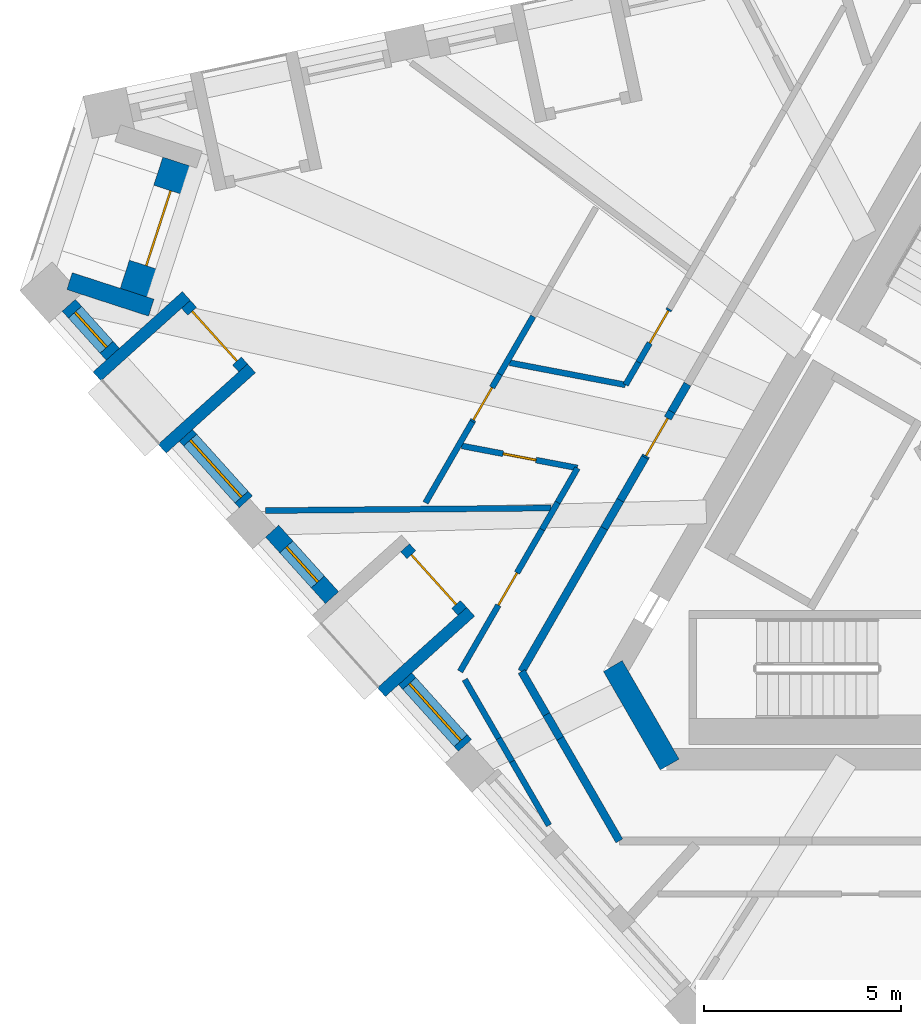
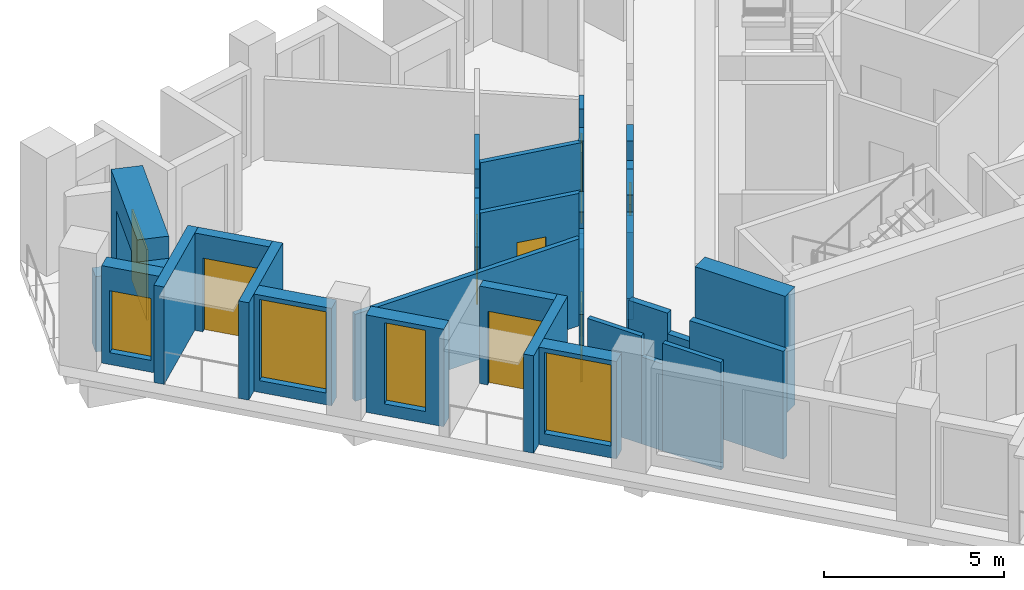
# One storey, part 3 of 13: 34 walls, 8 doors, 4 windows, 12 openings.
"""IFC4 building model written with IfcOpenShell, lengths in metres."""

from ifc_helpers import new_model, si_unit, direction, frame, frame_2d, origin, place, context, subcontext, project, spatial, polyline, rectangle, outline, extrude, material, layer, layer_set, type_object, element, fill, save


model = new_model("IFC4")

# Units and contexts
model_context = context("Model", 3, precision=1e-05, world=origin(), true_north=direction((0.0, 1.0)))
body_context = subcontext(model_context, "Body", "Model", "MODEL_VIEW")
ifc_project = project(units=[si_unit("LENGTHUNIT", "METRE"), si_unit("AREAUNIT", "SQUARE_METRE"), si_unit("VOLUMEUNIT", "CUBIC_METRE"), si_unit("PLANEANGLEUNIT", "RADIAN"), si_unit("MASSUNIT", "GRAM", prefix="KILO")], contexts=[model_context])

# Site, building, storey
site_placement = place(None, origin())
site = spatial("IfcSite", under=ifc_project, at=site_placement, CompositionType="ELEMENT")
building_placement = place(site_placement, origin())
building = spatial("IfcBuilding", under=site, at=building_placement, Name="Tramontana Tower", CompositionType="ELEMENT")
storey_placement = place(building_placement, frame((0.0, 0.0, 328.39990234375)))
storey = spatial("IfcBuildingStorey", under=building, at=storey_placement, Name="L75", CompositionType="ELEMENT", Elevation=328.39990234375)

# Walls
ifc_material_1 = material(Name="Concrete 70 MPa", Category="concrete")
ifc_layer_1 = layer(ifc_material_1, 0.550048828125)
ifc_layer_set_1 = layer_set([ifc_layer_1], Name="Core wall 550 70 MPa")
wall_type_1 = type_object("IfcWallType", Name="Core wall 550 70 MPa", PredefinedType="SHEAR", material=ifc_layer_set_1)
wall_1_placement = place(storey_placement, frame((-10.009765625, -4.112548828125, 0.0), z_axis=(0.0, 0.0, 1.0), x_axis=(0.499995765644, -0.866027848477, 0.0)))
element("IfcWall", 1, at=wall_1_placement, inside=storey, type_object=wall_type_1, Name="Core wall C2 L75", PredefinedType="SHEAR", context=body_context, shape_type="SweptSolid", body=[
    extrude(rectangle(XDim=2.88671875, YDim=0.550048828125, at=frame_2d((1.443359375, 0.0))), origin(), (0.0, 0.0, 1.0), 4.0),
])
ifc_material_2 = material(Name="Blockwork", Category="masonry")
ifc_layer_2 = layer(ifc_material_2, 0.199951171875)
ifc_layer_set_2 = layer_set([ifc_layer_2], Name="ENTRY WALL 200")
wall_type_2 = type_object("IfcWallType", Name="ENTRY WALL 200", PredefinedType="SOLIDWALL", material=ifc_layer_set_2)
wall_2_placement = place(storey_placement, frame((-9.84375, -8.550048828125, 0.0), z_axis=(0.0, 0.0, 1.0), x_axis=(-0.500003959331, 0.866023117852, 0.0)))
element("IfcWall", 2, at=wall_2_placement, inside=storey, type_object=wall_type_2, Name="Wall v80-ew2-0", PredefinedType="SOLIDWALL", context=body_context, shape_type="SweptSolid", body=[
    extrude(rectangle(XDim=3.0029296875, YDim=0.199951171875, at=frame_2d((1.50146484375, 0.0))), origin(), (0.0, 0.0, 1.0), 3.650146484375),
])
wall_3_placement = place(storey_placement, frame((-11.34521484375, -5.949462890625, 0.0), z_axis=(0.0, 0.0, 1.0), x_axis=(-0.499993523031, 0.866029143232, 0.0)))
element("IfcWall", 3, at=wall_3_placement, inside=storey, type_object=wall_type_2, Name="Wall v80-ew2-1", PredefinedType="SOLIDWALL", context=body_context, shape_type="SweptSolid", body=[
    extrude(rectangle(XDim=0.70166015625, YDim=0.199951171875, at=frame_2d((0.350830078125, 0.0))), origin(), (0.0, 0.0, 1.0), 2.9501953125),
])
wall_4_placement = place(storey_placement, frame((-11.696044921875, -5.341796875, 0.0), z_axis=(0.0, 0.0, 1.0), x_axis=(-0.500013012896, 0.866017890655, 0.0)))
element("IfcWall", 4, at=wall_4_placement, inside=storey, type_object=wall_type_2, Name="Wall v80-ew2-2", PredefinedType="SOLIDWALL", context=body_context, shape_type="SweptSolid", body=[
    extrude(rectangle(XDim=1.2607421875, YDim=0.199951171875, at=frame_2d((0.63037109375, 0.0))), origin(), (0.0, 0.0, 1.0), 3.650146484375),
])
wall_5_placement = place(storey_placement, frame((-12.326416015625, -4.25, 0.0), z_axis=(0.0, 0.0, 1.0), x_axis=(0.499982771656, 0.866035350345, 0.0)))
element("IfcWall", 5, at=wall_5_placement, inside=storey, type_object=wall_type_2, Name="Wall v80-ew3-0", PredefinedType="SOLIDWALL", context=body_context, shape_type="SweptSolid", body=[
    extrude(rectangle(XDim=4.194580078125, YDim=0.199951171875, at=frame_2d((2.09716796875, 0.0))), origin(), (0.0, 0.0, 1.0), 3.650146484375),
])
wall_6_placement = place(storey_placement, frame((-10.229248046875, -0.617431640625, 0.0), z_axis=(0.0, 0.0, 1.0), x_axis=(0.5001686003, 0.865928040471, 0.0)))
element("IfcWall", 6, at=wall_6_placement, inside=storey, type_object=wall_type_2, Name="Wall v80-ew3-1", PredefinedType="SOLIDWALL", context=body_context, shape_type="SweptSolid", body=[
    extrude(rectangle(XDim=0.821044921875, YDim=0.199951171875, at=frame_2d((0.41064453125, 0.0))), origin(), (0.0, 0.0, 1.0), 2.9501953125),
])
wall_7_placement = place(storey_placement, frame((-9.818603515625, 0.093505859375, 0.0), z_axis=(0.0, 0.0, 1.0), x_axis=(0.499969537666, 0.866042990507, 0.0)))
element("IfcWall", 7, at=wall_7_placement, inside=storey, type_object=wall_type_2, Name="Wall v80-ew3-2", PredefinedType="SOLIDWALL", context=body_context, shape_type="SweptSolid", body=[
    extrude(rectangle(XDim=1.25439453125, YDim=0.199951171875, at=frame_2d((0.627197265625, 0.0))), origin(), (0.0, 0.0, 1.0), 3.650146484375),
])

# Wall, opening, door
wall_8_placement = place(storey_placement, frame((-9.19140625, 1.179931640625, 0.0), z_axis=(0.0, 0.0, 1.0), x_axis=(0.500005339912, 0.866022320763, 0.0)))
wall_8 = element("IfcWall", 8, at=wall_8_placement, inside=storey, type_object=wall_type_2, Name="Wall v80-ew3-3", PredefinedType="SOLIDWALL", context=body_context, shape_type="SweptSolid", body=[
    extrude(outline(polyline([(0.0, 0.0), (1.3447265625, 0.0), (1.3447265625, 2.550048828125), (0.40087890625, 2.550048828125), (0.40087890625, 3.650146484375), (0.0, 3.650146484375), (0.0, 0.0)])), frame((0.0, 0.10009765625, 0.0), z_axis=(0.0, -1.0, 0.0), x_axis=(1.0, 0.0, 0.0)), (0.0, 0.0, 1.0), 0.199951171875),
])
opening_1_placement = place(wall_8_placement, frame((0.050048828125, 0.0, 0.0)))
opening_1 = element("IfcOpeningElement", 9, at=opening_1_placement, cuts=wall_8, Name="Opening B8A-19", PredefinedType="OPENING", context=body_context, shape_type="SweptSolid", body=[
    extrude(rectangle(XDim=1.10009765625, YDim=2.39990234375, at=frame_2d((0.550048828125, 1.199951171875))), frame((0.0, 0.10986328125, 0.0), z_axis=(0.0, -1.0, 0.0), x_axis=(1.0, 0.0, 0.0)), (0.0, 0.0, 1.0), 0.219970703125),
])
ifc_material_3 = material(Name="Painted timber", Category="wood")
door_type_1 = type_object("IfcDoorType", Name="DOOR ENTRY 1100", OperationType="SINGLE_SWING_LEFT", PredefinedType="DOOR", material=ifc_material_3)
door_1_placement = place(opening_1_placement, origin())
door_1 = element("IfcDoor", 10, at=door_1_placement, inside=storey, type_object=door_type_1, Name="Door B8A-19", OperationType="SINGLE_SWING_LEFT", OverallHeight=2.39990234375, OverallWidth=1.10009765625, PredefinedType="DOOR", context=body_context, shape_type="SweptSolid", body=[
    extrude(rectangle(XDim=1.10009765625, YDim=2.39990234375, at=frame_2d((0.550048828125, 1.199951171875))), frame((0.0, 0.02490234375, 0.0), z_axis=(0.0, -1.0, 0.0), x_axis=(1.0, 0.0, 0.0)), (0.0, 0.0, 1.0), 0.050048828125),
])
fill(opening_1, door_1)

# Wall
wall_9_placement = place(storey_placement, frame((-8.51904296875, 2.344482421875, 0.0), z_axis=(0.0, 0.0, 1.0), x_axis=(0.499914554297, 0.866074730264, 0.0)))
element("IfcWall", 11, at=wall_9_placement, inside=storey, type_object=wall_type_2, Name="Wall v80-ew3-4", PredefinedType="SOLIDWALL", context=body_context, shape_type="SweptSolid", body=[
    extrude(rectangle(XDim=0.806884765625, YDim=0.199951171875, at=frame_2d((0.4033203125, 0.0))), origin(), (0.0, 0.0, 1.0), 3.650146484375),
])

# Wall, opening, window
ifc_material_4 = material(Name="Precast concrete 60 MPa", Category="concrete")
ifc_layer_3 = layer(ifc_material_4, 0.449951171875)
ifc_layer_set_3 = layer_set([ifc_layer_3], Name="Precast concrete 60 MPa, 450 mm")
wall_type_3 = type_object("IfcWallType", Name="EW1 Stone-faced precast wall 450", PredefinedType="SOLIDWALL", material=ifc_layer_set_3)
wall_10_placement = place(storey_placement, frame((-23.817138671875, 5.043212890625, 0.0), z_axis=(0.0, 0.0, 1.0), x_axis=(0.669182609054, -0.743097998746, 0.0)))
wall_10 = element("IfcWall", 12, at=wall_10_placement, inside=storey, type_object=wall_type_3, Name="External wall L75 face 0 bay 1", PredefinedType="SOLIDWALL", context=body_context, shape_type="SweptSolid", body=[
    extrude(rectangle(XDim=1.67138671875, YDim=0.449951171875, at=frame_2d((0.835693359375, 0.0))), origin(), (0.0, 0.0, 1.0), 3.300048828125),
])
opening_2_placement = place(wall_10_placement, frame((0.235595703125, 0.0, 0.39990234375)))
opening_2 = element("IfcOpeningElement", 13, at=opening_2_placement, cuts=wall_10, Name="Opening N3L", PredefinedType="OPENING", context=body_context, shape_type="SweptSolid", body=[
    extrude(rectangle(XDim=1.199951171875, YDim=2.10009765625, at=frame_2d((0.60009765625, 1.050048828125))), frame((0.0, 0.23486328125, 0.0), z_axis=(0.0, -1.0, 0.0), x_axis=(1.0, 0.0, 0.0)), (0.0, 0.0, 1.0), 0.469970703125),
])
ifc_material_5 = material(Name="Aluminum frame, double glazing unit", Category="aluminium")
window_type_1 = type_object("IfcWindowType", Name="N3L Window 1.2 x 2.1", PartitioningType="SINGLE_PANEL", PredefinedType="WINDOW", material=ifc_material_5)
window_1_placement = place(opening_2_placement, origin())
window_1 = element("IfcWindow", 14, at=window_1_placement, inside=storey, type_object=window_type_1, Name="Window N3L L75 face 0 module 1", OverallHeight=2.10009765625, OverallWidth=1.199951171875, PartitioningType="SINGLE_PANEL", PredefinedType="WINDOW", context=body_context, shape_type="SweptSolid", body=[
    extrude(rectangle(XDim=1.199951171875, YDim=2.10009765625, at=frame_2d((0.60009765625, 1.050048828125))), frame((0.0, 0.030029296875, 0.0), z_axis=(0.0, -1.0, 0.0), x_axis=(1.0, 0.0, 0.0)), (0.0, 0.0, 1.0), 0.06005859375),
])
fill(opening_2, window_1)

wall_11_placement = place(storey_placement, frame((-20.844482421875, 1.74169921875, 0.0), z_axis=(0.0, 0.0, 1.0), x_axis=(0.669160694992, -0.743117732447, 0.0)))
wall_11 = element("IfcWall", 15, at=wall_11_placement, inside=storey, type_object=wall_type_3, Name="External wall L75 face 0 bay 1", PredefinedType="SOLIDWALL", context=body_context, shape_type="SweptSolid", body=[
    extrude(rectangle(XDim=2.271240234375, YDim=0.449951171875, at=frame_2d((1.1357421875, 0.0))), origin(), (0.0, 0.0, 1.0), 3.300048828125),
])
opening_3_placement = place(wall_11_placement, frame((0.16064453125, 0.0, 0.39990234375)))
opening_3 = element("IfcOpeningElement", 16, at=opening_3_placement, cuts=wall_11, Name="Opening M3", PredefinedType="OPENING", context=body_context, shape_type="SweptSolid", body=[
    extrude(rectangle(XDim=1.949951171875, YDim=2.75, at=frame_2d((0.97509765625, 1.375))), frame((0.0, 0.23486328125, 0.0), z_axis=(0.0, -1.0, 0.0), x_axis=(1.0, 0.0, 0.0)), (0.0, 0.0, 1.0), 0.469970703125),
])
ifc_material_6 = material(Name="Aluminum frame, double glazing unit", Category="aluminium")
window_type_2 = type_object("IfcWindowType", Name="M3 Window 1.95 x 2.75", PartitioningType="SINGLE_PANEL", PredefinedType="WINDOW", material=ifc_material_6)
window_2_placement = place(opening_3_placement, origin())
window_2 = element("IfcWindow", 17, at=window_2_placement, inside=storey, type_object=window_type_2, Name="Window M3 L75 face 0 module 3", OverallHeight=2.75, OverallWidth=1.949951171875, PartitioningType="SINGLE_PANEL", PredefinedType="WINDOW", context=body_context, shape_type="SweptSolid", body=[
    extrude(rectangle(XDim=1.949951171875, YDim=2.75, at=frame_2d((0.97509765625, 1.375))), frame((0.0, 0.030029296875, 0.0), z_axis=(0.0, -1.0, 0.0), x_axis=(1.0, 0.0, 0.0)), (0.0, 0.0, 1.0), 0.06005859375),
])
fill(opening_3, window_2)

wall_12_placement = place(storey_placement, frame((-18.655517578125, -0.689208984375, 0.0), z_axis=(0.0, 0.0, 1.0), x_axis=(0.669107243666, -0.743165860676, 0.0)))
wall_12 = element("IfcWall", 18, at=wall_12_placement, inside=storey, type_object=wall_type_3, Name="External wall L75 face 0 bay 2", PredefinedType="SOLIDWALL", context=body_context, shape_type="SweptSolid", body=[
    extrude(rectangle(XDim=2.271240234375, YDim=0.449951171875, at=frame_2d((1.1357421875, 0.0))), origin(), (0.0, 0.0, 1.0), 3.300048828125),
])
opening_4_placement = place(wall_12_placement, frame((0.53564453125, 0.0, 0.39990234375)))
opening_4 = element("IfcOpeningElement", 19, at=opening_4_placement, cuts=wall_12, Name="Opening N3", PredefinedType="OPENING", context=body_context, shape_type="SweptSolid", body=[
    extrude(rectangle(XDim=1.199951171875, YDim=2.75, at=frame_2d((0.60009765625, 1.375))), frame((0.0, 0.23486328125, 0.0), z_axis=(0.0, -1.0, 0.0), x_axis=(1.0, 0.0, 0.0)), (0.0, 0.0, 1.0), 0.469970703125),
])
ifc_material_7 = material(Name="Aluminum frame, double glazing unit", Category="aluminium")
window_type_3 = type_object("IfcWindowType", Name="N3 Window 1.2 x 2.75", PartitioningType="SINGLE_PANEL", PredefinedType="WINDOW", material=ifc_material_7)
window_3_placement = place(opening_4_placement, origin())
window_3 = element("IfcWindow", 20, at=window_3_placement, inside=storey, type_object=window_type_3, Name="Window N3 L75 face 0 module 4", OverallHeight=2.75, OverallWidth=1.199951171875, PartitioningType="SINGLE_PANEL", PredefinedType="WINDOW", context=body_context, shape_type="SweptSolid", body=[
    extrude(rectangle(XDim=1.199951171875, YDim=2.75, at=frame_2d((0.60009765625, 1.375))), frame((0.0, 0.030029296875, 0.0), z_axis=(0.0, -1.0, 0.0), x_axis=(1.0, 0.0, 0.0)), (0.0, 0.0, 1.0), 0.06005859375),
])
fill(opening_4, window_3)

wall_13_placement = place(storey_placement, frame((-15.281494140625, -4.4365234375, 0.0), z_axis=(0.0, 0.0, 1.0), x_axis=(0.669107243666, -0.743165860676, 0.0)))
wall_13 = element("IfcWall", 21, at=wall_13_placement, inside=storey, type_object=wall_type_3, Name="External wall L75 face 0 bay 2", PredefinedType="SOLIDWALL", context=body_context, shape_type="SweptSolid", body=[
    extrude(rectangle(XDim=2.271240234375, YDim=0.449951171875, at=frame_2d((1.1357421875, 0.0))), origin(), (0.0, 0.0, 1.0), 3.300048828125),
])
opening_5_placement = place(wall_13_placement, frame((0.16064453125, 0.0, 0.39990234375)))
opening_5 = element("IfcOpeningElement", 22, at=opening_5_placement, cuts=wall_13, Name="Opening M3", PredefinedType="OPENING", context=body_context, shape_type="SweptSolid", body=[
    extrude(rectangle(XDim=1.949951171875, YDim=2.75, at=frame_2d((0.97509765625, 1.375))), frame((0.0, 0.23486328125, 0.0), z_axis=(0.0, -1.0, 0.0), x_axis=(1.0, 0.0, 0.0)), (0.0, 0.0, 1.0), 0.469970703125),
])
window_4_placement = place(opening_5_placement, origin())
window_4 = element("IfcWindow", 23, at=window_4_placement, inside=storey, type_object=window_type_2, Name="Window M3 L75 face 0 module 6", OverallHeight=2.75, OverallWidth=1.949951171875, PartitioningType="SINGLE_PANEL", PredefinedType="WINDOW", context=body_context, shape_type="SweptSolid", body=[
    extrude(rectangle(XDim=1.949951171875, YDim=2.75, at=frame_2d((0.97509765625, 1.375))), frame((0.0, 0.030029296875, 0.0), z_axis=(0.0, -1.0, 0.0), x_axis=(1.0, 0.0, 0.0)), (0.0, 0.0, 1.0), 0.06005859375),
])
fill(opening_5, window_4)

# Wall
wall_14_placement = place(storey_placement, frame((-23.79638671875, 5.6552734375, 0.0), z_axis=(0.0, 0.0, 1.0), x_axis=(0.951064526973, -0.308992338955, 0.0)))
element("IfcWall", 24, at=wall_14_placement, inside=storey, type_object=wall_type_3, Name="Corner loggia side wall L75 K80l", PredefinedType="SOLIDWALL", context=body_context, shape_type="SweptSolid", body=[
    extrude(rectangle(XDim=2.17919921875, YDim=0.449951171875, at=frame_2d((1.089599609375, 0.0))), origin(), (0.0, 0.0, 1.0), 2.550048828125),
])

# Wall, opening, door
ifc_material_8 = material(Name="Precast concrete 60 MPa", Category="concrete")
ifc_layer_4 = layer(ifc_material_8, 0.89990234375)
ifc_layer_set_4 = layer_set([ifc_layer_4], Name="EW2 Stone-faced corner loggia wall 900")
wall_type_4 = type_object("IfcWallType", Name="EW2 Stone-faced corner loggia wall 900", PredefinedType="SOLIDWALL", material=ifc_layer_set_4)
wall_15_placement = place(storey_placement, frame((-22.082275390625, 5.3349609375, 0.0), z_axis=(0.0, 0.0, 1.0), x_axis=(0.309019824916, 0.951055596592, 0.0)))
wall_15 = element("IfcWall", 25, at=wall_15_placement, inside=storey, type_object=wall_type_4, Name="Corner loggia wall L75 K80", PredefinedType="SOLIDWALL", context=body_context, shape_type="SweptSolid", body=[
    extrude(rectangle(XDim=3.5, YDim=0.89990234375, at=frame_2d((1.75, 0.0))), origin(), (0.0, 0.0, 1.0), 3.300048828125),
])
opening_6_placement = place(wall_15_placement, frame((0.75, 0.0, 0.0)))
opening_6 = element("IfcOpeningElement", 26, at=opening_6_placement, cuts=wall_15, Name="Opening BD-80C", PredefinedType="OPENING", context=body_context, shape_type="SweptSolid", body=[
    extrude(rectangle(XDim=2.0, YDim=2.39990234375, at=frame_2d((1.0, 1.199951171875))), frame((0.0, 0.4599609375, 0.0), z_axis=(0.0, -1.0, 0.0), x_axis=(1.0, 0.0, 0.0)), (0.0, 0.0, 1.0), 0.919921875),
])
ifc_material_9 = material(Name="Aluminum frame, double glazing unit", Category="aluminium")
door_type_2 = type_object("IfcDoorType", Name="BC1 Sliding door 2 x 2.4", OperationType="SLIDING_TO_LEFT", PredefinedType="DOOR", material=ifc_material_9)
door_2_placement = place(opening_6_placement, origin())
door_2 = element("IfcDoor", 27, at=door_2_placement, inside=storey, type_object=door_type_2, Name="Corner loggia door L75 K80", OperationType="SLIDING_TO_LEFT", OverallHeight=2.39990234375, OverallWidth=2.0, PredefinedType="DOOR", context=body_context, shape_type="SweptSolid", body=[
    extrude(rectangle(XDim=2.0, YDim=2.39990234375, at=frame_2d((1.0, 1.199951171875))), frame((0.0, 0.02490234375, 0.0), z_axis=(0.0, -1.0, 0.0), x_axis=(1.0, 0.0, 0.0)), (0.0, 0.0, 1.0), 0.050048828125),
])
fill(opening_6, door_2)

ifc_material_10 = material(Name="Precast concrete 60 MPa", Category="concrete")
ifc_layer_5 = layer(ifc_material_10, 0.300048828125)
ifc_layer_set_5 = layer_set([ifc_layer_5], Name="LW1 Stone-faced loggia wall 300")
wall_type_5 = type_object("IfcWallType", Name="LW1 Stone-faced loggia wall 300", PredefinedType="SOLIDWALL", material=ifc_layer_set_5)
wall_16_placement = place(storey_placement, frame((-20.844482421875, 5.067138671875, 0.0), z_axis=(0.0, 0.0, 1.0), x_axis=(0.669144868344, -0.743131983681, 0.0)))
wall_16 = element("IfcWall", 28, at=wall_16_placement, inside=storey, type_object=wall_type_5, Name="Loggia wall L75 G8S0.1", PredefinedType="SOLIDWALL", context=body_context, shape_type="SweptSolid", body=[
    extrude(rectangle(XDim=2.171142578125, YDim=0.300048828125, at=frame_2d((1.08544921875, 0.0))), origin(), (0.0, 0.0, 1.0), 3.300048828125),
])
opening_7_placement = place(wall_16_placement, frame((0.235595703125, 0.0, 0.0)))
opening_7 = element("IfcOpeningElement", 29, at=opening_7_placement, cuts=wall_16, Name="Opening BD-8S0-01", PredefinedType="OPENING", context=body_context, shape_type="SweptSolid", body=[
    extrude(rectangle(XDim=1.699951171875, YDim=2.5, at=frame_2d((0.85009765625, 1.25))), frame((0.0, 0.159912109375, 0.0), z_axis=(0.0, -1.0, 0.0), x_axis=(1.0, 0.0, 0.0)), (0.0, 0.0, 1.0), 0.320068359375),
])
ifc_material_11 = material(Name="Aluminum frame, double glazing unit", Category="aluminium")
door_type_3 = type_object("IfcDoorType", Name="BD3 Sliding door 1.7 x 2.5", OperationType="SLIDING_TO_LEFT", PredefinedType="DOOR", material=ifc_material_11)
door_3_placement = place(opening_7_placement, origin())
door_3 = element("IfcDoor", 30, at=door_3_placement, inside=storey, type_object=door_type_3, Name="Loggia door L75 G8S0.1", OperationType="SLIDING_TO_LEFT", OverallHeight=2.5, OverallWidth=1.699951171875, PredefinedType="DOOR", context=body_context, shape_type="SweptSolid", body=[
    extrude(rectangle(XDim=1.699951171875, YDim=2.5, at=frame_2d((0.85009765625, 1.25))), frame((0.0, 0.02490234375, 0.0), z_axis=(0.0, -1.0, 0.0), x_axis=(1.0, 0.0, 0.0)), (0.0, 0.0, 1.0), 0.050048828125),
])
fill(opening_7, door_3)

# Walls
for number, where, z_axis, x_axis, name in (
    (31, (-23.10009765625, 3.238037109375, 0.0), (0.0, 0.0, 1.0), (0.743158802514, 0.669115082961, 0.0), "Loggia return L75 G8S0.1a"),
    (32, (-21.446533203125, 1.401611328125, 0.0), (0.0, 0.0, 1.0), (0.743158802514, 0.669115082961, 0.0), "Loggia return L75 G8S0.1b"),
):
    element("IfcWall", number, at=place(storey_placement, frame(where, z_axis=z_axis, x_axis=x_axis)), inside=storey, type_object=wall_type_5, Name=name, PredefinedType="SOLIDWALL", context=body_context, shape_type="SweptSolid", body=[
        extrude(rectangle(XDim=3.050048828125, YDim=0.300048828125, at=frame_2d((1.52490234375, 0.0))), origin(), (0.0, 0.0, 1.0), 3.300048828125),
    ])

# Wall, opening, door
wall_17_placement = place(storey_placement, frame((-15.281494140625, -1.111328125, 0.0), z_axis=(0.0, 0.0, 1.0), x_axis=(0.669144868344, -0.743131983681, 0.0)))
wall_17 = element("IfcWall", 33, at=wall_17_placement, inside=storey, type_object=wall_type_5, Name="Loggia wall L75 G8S0.4", PredefinedType="SOLIDWALL", context=body_context, shape_type="SweptSolid", body=[
    extrude(rectangle(XDim=2.171142578125, YDim=0.300048828125, at=frame_2d((1.08544921875, 0.0))), origin(), (0.0, 0.0, 1.0), 3.300048828125),
])
opening_8_placement = place(wall_17_placement, frame((0.235595703125, 0.0, 0.0)))
opening_8 = element("IfcOpeningElement", 34, at=opening_8_placement, cuts=wall_17, Name="Opening BD-8S0-04", PredefinedType="OPENING", context=body_context, shape_type="SweptSolid", body=[
    extrude(rectangle(XDim=1.699951171875, YDim=2.5, at=frame_2d((0.85009765625, 1.25))), frame((0.0, 0.159912109375, 0.0), z_axis=(0.0, -1.0, 0.0), x_axis=(1.0, 0.0, 0.0)), (0.0, 0.0, 1.0), 0.320068359375),
])
door_4_placement = place(opening_8_placement, origin())
door_4 = element("IfcDoor", 35, at=door_4_placement, inside=storey, type_object=door_type_3, Name="Loggia door L75 G8S0.4", OperationType="SLIDING_TO_LEFT", OverallHeight=2.5, OverallWidth=1.699951171875, PredefinedType="DOOR", context=body_context, shape_type="SweptSolid", body=[
    extrude(rectangle(XDim=1.699951171875, YDim=2.5, at=frame_2d((0.85009765625, 1.25))), frame((0.0, 0.02490234375, 0.0), z_axis=(0.0, -1.0, 0.0), x_axis=(1.0, 0.0, 0.0)), (0.0, 0.0, 1.0), 0.050048828125),
])
fill(opening_8, door_4)

# Walls
wall_18_placement = place(storey_placement, frame((-15.88330078125, -4.77685546875, 0.0), z_axis=(0.0, 0.0, 1.0), x_axis=(0.743122960955, 0.669154888573, 0.0)))
element("IfcWall", 36, at=wall_18_placement, inside=storey, type_object=wall_type_5, Name="Loggia return L75 G8S0.4b", PredefinedType="SOLIDWALL", context=body_context, shape_type="SweptSolid", body=[
    extrude(rectangle(XDim=3.0498046875, YDim=0.300048828125, at=frame_2d((1.52490234375, 0.0))), origin(), (0.0, 0.0, 1.0), 3.300048828125),
])
ifc_material_12 = material(Name="Gypsum board partition")
ifc_layer_6 = layer(ifc_material_12, 0.14990234375)
ifc_layer_set_6 = layer_set([ifc_layer_6], Name="PARTITION 150")
wall_type_6 = type_object("IfcWallType", Name="PARTITION 150", PredefinedType="PARTITIONING", material=ifc_layer_set_6)
wall_19_placement = place(storey_placement, frame((-14.76318359375, 0.029541015625, 0.0), z_axis=(0.0, 0.0, 1.0), x_axis=(0.500045118629, 0.865999352965, 0.0)))
element("IfcWall", 37, at=wall_19_placement, inside=storey, type_object=wall_type_6, Name="Wall v80-pw01-0", PredefinedType="PARTITIONING", context=body_context, shape_type="SweptSolid", body=[
    extrude(rectangle(XDim=2.379638671875, YDim=0.14990234375, at=frame_2d((1.18994140625, 0.0))), origin(), (0.0, 0.0, 1.0), 3.650146484375),
])

# Wall, opening, door
wall_20_placement = place(storey_placement, frame((-13.5732421875, 2.09033203125, 0.0), z_axis=(0.0, 0.0, 1.0), x_axis=(0.500026194733, 0.86601027972, 0.0)))
wall_20 = element("IfcWall", 38, at=wall_20_placement, inside=storey, type_object=wall_type_6, Name="Wall v80-pw01-1", PredefinedType="PARTITIONING", context=body_context, shape_type="SweptSolid", body=[
    extrude(outline(polyline([(0.0, 0.0), (1.3916015625, 0.0), (1.3916015625, 2.550048828125), (0.47412109375, 2.550048828125), (0.47412109375, 3.650146484375), (0.0, 3.650146484375), (0.0, 0.0)])), frame((0.0, 0.074951171875, 0.0), z_axis=(0.0, -1.0, 0.0), x_axis=(1.0, 0.0, 0.0)), (0.0, 0.0, 1.0), 0.14990234375),
])
opening_9_placement = place(wall_20_placement, frame((0.050048828125, 0.0, 0.0)))
opening_9 = element("IfcOpeningElement", 39, at=opening_9_placement, cuts=wall_20, Name="Opening B8A-03", PredefinedType="OPENING", context=body_context, shape_type="SweptSolid", body=[
    extrude(rectangle(XDim=0.949951171875, YDim=2.39990234375, at=frame_2d((0.47509765625, 1.199951171875))), frame((0.0, 0.0849609375, 0.0), z_axis=(0.0, -1.0, 0.0), x_axis=(1.0, 0.0, 0.0)), (0.0, 0.0, 1.0), 0.169921875),
])
ifc_material_13 = material(Name="Painted timber", Category="wood")
door_type_4 = type_object("IfcDoorType", Name="DOOR ROOM 950", OperationType="SINGLE_SWING_LEFT", PredefinedType="DOOR", material=ifc_material_13)
door_5_placement = place(opening_9_placement, origin())
door_5 = element("IfcDoor", 40, at=door_5_placement, inside=storey, type_object=door_type_4, Name="Door B8A-03", OperationType="SINGLE_SWING_LEFT", OverallHeight=2.39990234375, OverallWidth=0.949951171875, PredefinedType="DOOR", context=body_context, shape_type="SweptSolid", body=[
    extrude(rectangle(XDim=0.949951171875, YDim=2.39990234375, at=frame_2d((0.47509765625, 1.199951171875))), frame((0.0, 0.02490234375, 0.0), z_axis=(0.0, -1.0, 0.0), x_axis=(1.0, 0.0, 0.0)), (0.0, 0.0, 1.0), 0.050048828125),
])
fill(opening_9, door_5)

# Wall
wall_21_placement = place(storey_placement, frame((-12.87744140625, 3.29541015625, 0.0), z_axis=(0.0, 0.0, 1.0), x_axis=(0.499876388284, 0.86609675928, 0.0)))
element("IfcWall", 41, at=wall_21_placement, inside=storey, type_object=wall_type_6, Name="Wall v80-pw01-2", PredefinedType="PARTITIONING", context=body_context, shape_type="SweptSolid", body=[
    extrude(rectangle(XDim=1.693359375, YDim=0.14990234375, at=frame_2d((0.8466796875, 0.0))), origin(), (0.0, 0.0, 1.0), 3.650146484375),
])

# Wall, opening, door
wall_22_placement = place(storey_placement, frame((-13.88525390625, -4.25, 0.0), z_axis=(0.0, 0.0, 1.0), x_axis=(0.499988236992, 0.866032195053, 0.0)))
wall_22 = element("IfcWall", 42, at=wall_22_placement, inside=storey, type_object=wall_type_6, Name="Wall v80-pw02-0", PredefinedType="PARTITIONING", context=body_context, shape_type="SweptSolid", body=[
    extrude(rectangle(XDim=4.1611328125, YDim=0.14990234375, at=frame_2d((2.08056640625, 0.0))), origin(), (0.0, 0.0, 1.0), 3.650146484375),
])
opening_10_placement = place(wall_22_placement, frame((1.94140625, 0.0, 0.0)))
opening_10 = element("IfcOpeningElement", 43, at=opening_10_placement, cuts=wall_22, Name="Opening B8A-05", PredefinedType="OPENING", context=body_context, shape_type="SweptSolid", body=[
    extrude(rectangle(XDim=0.949951171875, YDim=2.39990234375, at=frame_2d((0.47509765625, 1.199951171875))), frame((0.0, 0.0849609375, 0.0), z_axis=(0.0, -1.0, 0.0), x_axis=(1.0, 0.0, 0.0)), (0.0, 0.0, 1.0), 0.169921875),
])
door_6_placement = place(opening_10_placement, origin())
door_6 = element("IfcDoor", 44, at=door_6_placement, inside=storey, type_object=door_type_4, Name="Door B8A-05", OperationType="SINGLE_SWING_LEFT", OverallHeight=2.39990234375, OverallWidth=0.949951171875, PredefinedType="DOOR", context=body_context, shape_type="SweptSolid", body=[
    extrude(rectangle(XDim=0.949951171875, YDim=2.39990234375, at=frame_2d((0.47509765625, 1.199951171875))), frame((0.0, 0.02490234375, 0.0), z_axis=(0.0, -1.0, 0.0), x_axis=(1.0, 0.0, 0.0)), (0.0, 0.0, 1.0), 0.050048828125),
])
fill(opening_10, door_6)

# Walls
wall_23_placement = place(storey_placement, frame((-11.8046875, -0.646240234375, 0.0), z_axis=(0.0, 0.0, 1.0), x_axis=(0.500185116612, 0.865918500276, 0.0)))
element("IfcWall", 45, at=wall_23_placement, inside=storey, type_object=wall_type_6, Name="Wall v80-pw02-1", PredefinedType="PARTITIONING", context=body_context, shape_type="SweptSolid", body=[
    extrude(rectangle(XDim=0.791748046875, YDim=0.14990234375, at=frame_2d((0.39599609375, 0.0))), origin(), (0.0, 0.0, 1.0), 2.9501953125),
])
wall_24_placement = place(storey_placement, frame((-11.40869140625, 0.039306640625, 0.0), z_axis=(0.0, 0.0, 1.0), x_axis=(0.49984860601, 0.866112793503, 0.0)))
element("IfcWall", 46, at=wall_24_placement, inside=storey, type_object=wall_type_6, Name="Wall v80-pw02-2", PredefinedType="PARTITIONING", context=body_context, shape_type="SweptSolid", body=[
    extrude(rectangle(XDim=1.005126953125, YDim=0.14990234375, at=frame_2d((0.50244140625, 0.0))), origin(), (0.0, 0.0, 1.0), 3.650146484375),
])
wall_25_placement = place(storey_placement, frame((-12.624267578125, 3.583984375, 0.0), z_axis=(0.0, 0.0, 1.0), x_axis=(0.982222548554, -0.187720177693, 0.0)))
element("IfcWall", 47, at=wall_25_placement, inside=storey, type_object=wall_type_6, Name="Wall v80-pw03", PredefinedType="PARTITIONING", context=body_context, shape_type="SweptSolid", body=[
    extrude(rectangle(XDim=2.98876953125, YDim=0.14990234375, at=frame_2d((1.494384765625, 0.0))), origin(), (0.0, 0.0, 1.0), 3.650146484375),
])
wall_26_placement = place(storey_placement, frame((-11.630859375, -8.154541015625, 0.0), z_axis=(0.0, 0.0, 1.0), x_axis=(-0.50011020776, 0.865961765954, 0.0)))
element("IfcWall", 48, at=wall_26_placement, inside=storey, type_object=wall_type_6, Name="Wall v80-pw04-0", PredefinedType="PARTITIONING", context=body_context, shape_type="SweptSolid", body=[
    extrude(rectangle(XDim=1.87109375, YDim=0.14990234375, at=frame_2d((0.935546875, 0.0))), origin(), (0.0, 0.0, 1.0), 3.650146484375),
])
wall_27_placement = place(storey_placement, frame((-12.566650390625, -6.5341796875, 0.0), z_axis=(0.0, 0.0, 1.0), x_axis=(-0.499826590014, 0.866125498941, 0.0)))
element("IfcWall", 49, at=wall_27_placement, inside=storey, type_object=wall_type_6, Name="Wall v80-pw04-1", PredefinedType="PARTITIONING", context=body_context, shape_type="SweptSolid", body=[
    extrude(rectangle(XDim=0.676513671875, YDim=0.14990234375, at=frame_2d((0.33837890625, 0.0))), origin(), (0.0, 0.0, 1.0), 2.9501953125),
])
wall_28_placement = place(storey_placement, frame((-12.90478515625, -5.9482421875, 0.0), z_axis=(0.0, 0.0, 1.0), x_axis=(-0.499992114976, 0.866029956157, 0.0)))
element("IfcWall", 50, at=wall_28_placement, inside=storey, type_object=wall_type_6, Name="Wall v80-pw04-2", PredefinedType="PARTITIONING", context=body_context, shape_type="SweptSolid", body=[
    extrude(rectangle(XDim=1.72412109375, YDim=0.14990234375, at=frame_2d((0.862060546875, 0.0))), origin(), (0.0, 0.0, 1.0), 3.650146484375),
])
wall_29_placement = place(storey_placement, frame((-11.577392578125, -0.102783203125, 0.0), z_axis=(0.0, 0.0, 1.0), x_axis=(-0.999960434916, -0.008895425913, 0.0)))
element("IfcWall", 51, at=wall_29_placement, inside=storey, type_object=wall_type_6, Name="Wall v80-pw06-0", PredefinedType="PARTITIONING", context=body_context, shape_type="SweptSolid", body=[
    extrude(rectangle(XDim=7.24560546875, YDim=0.14990234375, at=frame_2d((3.622802734375, 0.0))), origin(), (0.0, 0.0, 1.0), 2.9501953125),
])

# Wall, opening, door
wall_30_placement = place(storey_placement, frame((-10.908203125, 0.914306640625, 0.0), z_axis=(0.0, 0.0, 1.0), x_axis=(-0.982214575518, 0.187761890809, 0.0)))
wall_30 = element("IfcWall", 52, at=wall_30_placement, inside=storey, type_object=wall_type_6, Name="Wall v80-pw07", PredefinedType="PARTITIONING", context=body_context, shape_type="SweptSolid", body=[
    extrude(rectangle(XDim=2.98681640625, YDim=0.14990234375, at=frame_2d((1.493408203125, 0.0))), origin(), (0.0, 0.0, 1.0), 3.650146484375),
])
opening_11_placement = place(wall_30_placement, frame((1.068359375, 0.0, 0.0)))
opening_11 = element("IfcOpeningElement", 53, at=opening_11_placement, cuts=wall_30, Name="Opening B8A-02", PredefinedType="OPENING", context=body_context, shape_type="SweptSolid", body=[
    extrude(rectangle(XDim=0.85009765625, YDim=2.39990234375, at=frame_2d((0.425048828125, 1.199951171875))), frame((0.0, 0.0849609375, 0.0), z_axis=(0.0, -1.0, 0.0), x_axis=(1.0, 0.0, 0.0)), (0.0, 0.0, 1.0), 0.169921875),
])
ifc_material_14 = material(Name="Painted timber", Category="wood")
door_type_5 = type_object("IfcDoorType", Name="DOOR BATH 850", OperationType="SINGLE_SWING_LEFT", PredefinedType="DOOR", material=ifc_material_14)
door_7_placement = place(opening_11_placement, origin())
door_7 = element("IfcDoor", 54, at=door_7_placement, inside=storey, type_object=door_type_5, Name="Door B8A-02", OperationType="SINGLE_SWING_RIGHT", OverallHeight=2.39990234375, OverallWidth=0.85009765625, PredefinedType="DOOR", context=body_context, shape_type="SweptSolid", body=[
    extrude(rectangle(XDim=0.85009765625, YDim=2.39990234375, at=frame_2d((0.425048828125, 1.199951171875))), frame((0.0, 0.02490234375, 0.0), z_axis=(0.0, -1.0, 0.0), x_axis=(1.0, 0.0, 0.0)), (0.0, 0.0, 1.0), 0.050048828125),
])
fill(opening_11, door_7)

# Wall
wall_31_placement = place(storey_placement, frame((-9.685546875, 3.0244140625, 0.0), z_axis=(0.0, 0.0, 1.0), x_axis=(0.500191429871, 0.865914853484, 0.0)))
element("IfcWall", 55, at=wall_31_placement, inside=storey, type_object=wall_type_6, Name="Wall v80-pw08-0", PredefinedType="PARTITIONING", context=body_context, shape_type="SweptSolid", body=[
    extrude(rectangle(XDim=0.660888671875, YDim=0.14990234375, at=frame_2d((0.33056640625, 0.0))), origin(), (0.0, 0.0, 1.0), 3.650146484375),
])

# Wall, opening, door
wall_32_placement = place(storey_placement, frame((-9.35498046875, 3.5966796875, 0.0), z_axis=(0.0, 0.0, 1.0), x_axis=(0.499988530825, 0.866032025414, 0.0)))
wall_32 = element("IfcWall", 56, at=wall_32_placement, inside=storey, type_object=wall_type_6, Name="Wall v80-pw08-1", PredefinedType="PARTITIONING", context=body_context, shape_type="SweptSolid", body=[
    extrude(outline(polyline([(0.0, 0.0), (1.56201171875, 0.0), (1.562255859375, 3.650146484375), (0.880615234375, 3.650146484375), (0.880615234375, 2.550048828125), (0.0, 2.550048828125), (0.0, 0.0)])), frame((0.0, 0.074951171875, 0.0), z_axis=(0.0, -1.0, 0.0), x_axis=(1.0, 0.0, 0.0)), (0.0, 0.0, 1.0), 0.14990234375),
])
opening_12_placement = place(wall_32_placement, frame((0.562255859375, 0.0, 0.0)))
opening_12 = element("IfcOpeningElement", 57, at=opening_12_placement, cuts=wall_32, Name="Opening B8A-01", PredefinedType="OPENING", context=body_context, shape_type="SweptSolid", body=[
    extrude(rectangle(XDim=0.949951171875, YDim=2.39990234375, at=frame_2d((0.47509765625, 1.199951171875))), frame((0.0, 0.0849609375, 0.0), z_axis=(0.0, -1.0, 0.0), x_axis=(1.0, 0.0, 0.0)), (0.0, 0.0, 1.0), 0.169921875),
])
door_8_placement = place(opening_12_placement, origin())
door_8 = element("IfcDoor", 58, at=door_8_placement, inside=storey, type_object=door_type_4, Name="Door B8A-01", OperationType="SINGLE_SWING_LEFT", OverallHeight=2.39990234375, OverallWidth=0.949951171875, PredefinedType="DOOR", context=body_context, shape_type="SweptSolid", body=[
    extrude(rectangle(XDim=0.949951171875, YDim=2.39990234375, at=frame_2d((0.47509765625, 1.199951171875))), frame((0.0, 0.02490234375, 0.0), z_axis=(0.0, -1.0, 0.0), x_axis=(1.0, 0.0, 0.0)), (0.0, 0.0, 1.0), 0.050048828125),
])
fill(opening_12, door_8)

save(model, "model.ifc")
